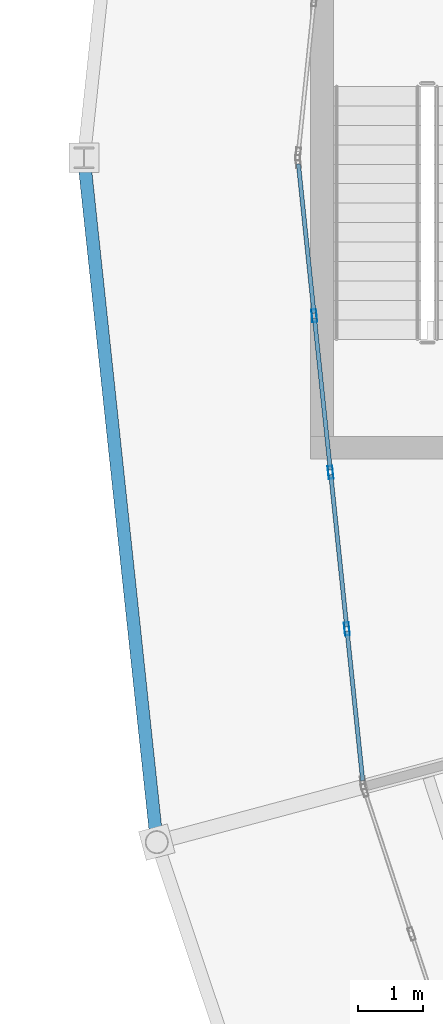
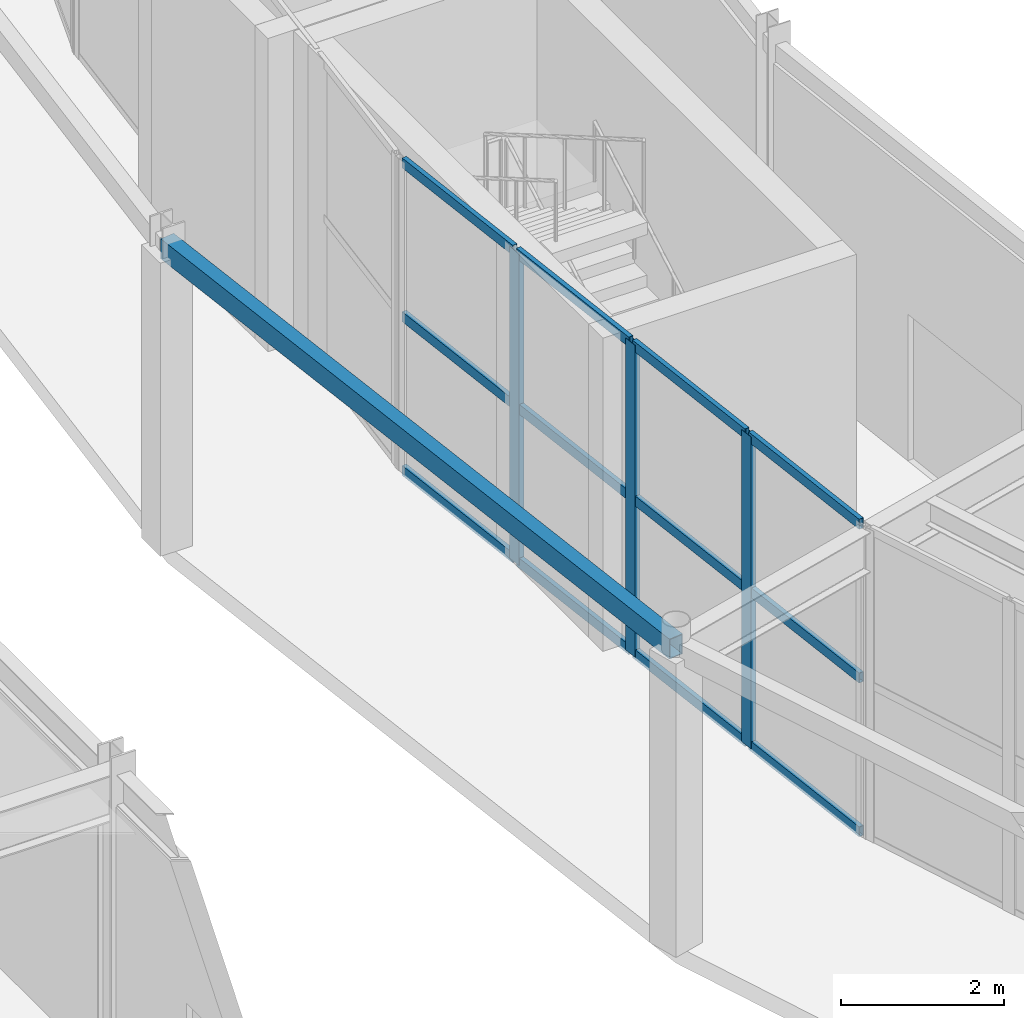
# One storey, part 43 of 144: 15 members, 1 beam, 1 element without a shape of its own.
"""IFC4 building model written with IfcOpenShell, lengths in metres."""

from ifc_helpers import new_model, si_unit, direction, frame, origin, origin_2d, place, context, subcontext, project, spatial, hollow_rectangle, extrude, material, material_profile, profile_set, type_object, element, aggregate, save


model = new_model("IFC4")

# Units and contexts
model_context = context("Model", 3, precision=1e-05, world=origin(), true_north=direction((0.0, 1.0)))
body_context = subcontext(model_context, "Body", "Model", "MODEL_VIEW")
ifc_project = project(units=[si_unit("LENGTHUNIT", "METRE"), si_unit("AREAUNIT", "SQUARE_METRE"), si_unit("VOLUMEUNIT", "CUBIC_METRE"), si_unit("PLANEANGLEUNIT", "RADIAN"), si_unit("MASSUNIT", "GRAM", prefix="KILO")], contexts=[model_context])

# Site, building, storey
site_placement = place(None, origin())
site = spatial("IfcSite", under=ifc_project, at=site_placement, CompositionType="ELEMENT")
building_placement = place(site_placement, origin())
building = spatial("IfcBuilding", under=site, at=building_placement, Name="Karori Crest Natural Sciences Institute", CompositionType="ELEMENT")
storey_placement = place(building_placement, origin())
storey = spatial("IfcBuildingStorey", under=building, at=storey_placement, Name="L00", CompositionType="ELEMENT", Elevation=0.0)

# Beam
ifc_material_1 = material(Name="Hollow structural steel AS/NZS 1163 Grade C350", Category="steel")
ifc_material_profile_1 = material_profile(ifc_material_1, hollow_rectangle(XDim=0.199951171875, YDim=0.300048828125, WallThickness=0.010009765625, at=origin_2d()), Name="RHS300x200x10")
ifc_profile_set_1 = profile_set([ifc_material_profile_1], Name="Hollow structural steel AS/NZS 1163 Grade C350")
beam_type = type_object("IfcBeamType", Name="BT-15", PredefinedType="SPANDREL", material=ifc_profile_set_1)
beam_placement = place(storey_placement, frame((33.39990234375, 49.89990234375, 4.489990234375), z_axis=(0.105891010563, -0.994377742049, 0.0), x_axis=(0.994377742049, 0.105891010563, 0.0)))
element("IfcBeam", 1, at=beam_placement, inside=storey, type_object=beam_type, Name="Beam B-0136", PredefinedType="SPANDREL", context=body_context, shape_type="SweptSolid", body=[
    extrude(hollow_rectangle(XDim=0.199951171875, YDim=0.300048828125, WallThickness=0.010009765625, at=origin_2d()), origin(), (0.0, 0.0, 1.0), 10.61962890625),
])

# Curtain wall, members
ifc_material_2 = material(Name="Anodised architectural aluminium 6063-T6", Category="aluminium")
curtain_wall_type = type_object("IfcCurtainWallType", Name="CWT-03", PredefinedType="NOTDEFINED", material=ifc_material_2)
curtain_wall_placement = place(storey_placement, origin())
curtain_wall = element("IfcCurtainWall", 2, at=curtain_wall_placement, inside=storey, type_object=curtain_wall_type, Name="Curtain wall CW-0016", PredefinedType="NOTDEFINED")
ifc_material_profile_2 = material_profile(ifc_material_2, hollow_rectangle(XDim=0.074951171875, YDim=0.199951171875, WallThickness=0.0048828125, at=origin_2d()), Name="CWM200x75x5")
ifc_profile_set_2 = profile_set([ifc_material_profile_2], Name="Anodised architectural aluminium 6063-T6")
member_type_1 = type_object("IfcMemberType", Name="CWM-02", PredefinedType="MULLION", material=ifc_profile_set_2)
member_1_placement = place(storey_placement, frame((37.4580078125, 42.630615234375, 0.0), z_axis=(0.0, 0.0, 1.0), x_axis=(-0.994608485589, -0.103701303727, 0.0)))
member_1 = element("IfcMember", 3, at=member_1_placement, type_object=member_type_1, Name="CW-0016 mullion 2", PredefinedType="MULLION", context=body_context, shape_type="SweptSolid", body=[
    extrude(hollow_rectangle(XDim=0.074951171875, YDim=0.199951171875, WallThickness=0.0048828125, at=origin_2d()), origin(), (0.0, 0.0, 1.0), 4.679931640625),
])
member_2_placement = place(storey_placement, frame((37.2060546875, 45.047119140625, 0.0), z_axis=(0.0, 0.0, 1.0), x_axis=(-0.994608485589, -0.103701303727, 0.0)))
member_2 = element("IfcMember", 4, at=member_2_placement, type_object=member_type_1, Name="CW-0016 mullion 3", PredefinedType="MULLION", context=body_context, shape_type="SweptSolid", body=[
    extrude(hollow_rectangle(XDim=0.074951171875, YDim=0.199951171875, WallThickness=0.0048828125, at=origin_2d()), origin(), (0.0, 0.0, 1.0), 4.679931640625),
])
member_3_placement = place(storey_placement, frame((36.9541015625, 47.463623046875, 0.0), z_axis=(0.0, 0.0, 1.0), x_axis=(-0.994608485589, -0.103701303727, 0.0)))
member_3 = element("IfcMember", 5, at=member_3_placement, type_object=member_type_1, Name="CW-0016 mullion 4", PredefinedType="MULLION", context=body_context, shape_type="SweptSolid", body=[
    extrude(hollow_rectangle(XDim=0.074951171875, YDim=0.199951171875, WallThickness=0.0048828125, at=origin_2d()), origin(), (0.0, 0.0, 1.0), 4.679931640625),
])
ifc_material_profile_3 = material_profile(ifc_material_2, hollow_rectangle(XDim=0.06494140625, YDim=0.14990234375, WallThickness=0.00390625, at=origin_2d()), Name="CWT150x65x4")
ifc_profile_set_3 = profile_set([ifc_material_profile_3], Name="Anodised architectural aluminium 6063-T6")
member_type_2 = type_object("IfcMemberType", Name="CWT-TR2", PredefinedType="USERDEFINED", material=ifc_profile_set_3)
member_4_placement = place(storey_placement, frame((37.7021484375, 40.288818359375, 0.032470703125), z_axis=(-0.103686436593, 0.994610035575, 0.0), x_axis=(-0.994610035575, -0.103686436593, 0.0)))
member_4 = element("IfcMember", 6, at=member_4_placement, type_object=member_type_2, Name="CW-0016 transom 1.1", ObjectType="TRANSOM", PredefinedType="USERDEFINED", context=body_context, shape_type="SweptSolid", body=[
    extrude(hollow_rectangle(XDim=0.06494140625, YDim=0.14990234375, WallThickness=0.00390625, at=origin_2d()), origin(), (0.0, 0.0, 1.0), 2.31689453125),
])
member_5_placement = place(storey_placement, frame((37.7021484375, 40.288818359375, 2.340087890625), z_axis=(-0.103686436593, 0.994610035575, 0.0), x_axis=(-0.994610035575, -0.103686436593, 0.0)))
member_5 = element("IfcMember", 7, at=member_5_placement, type_object=member_type_2, Name="CW-0016 transom 1.2", ObjectType="TRANSOM", PredefinedType="USERDEFINED", context=body_context, shape_type="SweptSolid", body=[
    extrude(hollow_rectangle(XDim=0.06494140625, YDim=0.14990234375, WallThickness=0.00390625, at=origin_2d()), origin(), (0.0, 0.0, 1.0), 2.31689453125),
])
member_6_placement = place(storey_placement, frame((37.7021484375, 40.288818359375, 4.6474609375), z_axis=(-0.103686436593, 0.994610035575, 0.0), x_axis=(-0.994610035575, -0.103686436593, 0.0)))
member_6 = element("IfcMember", 8, at=member_6_placement, type_object=member_type_2, Name="CW-0016 transom 1.3", ObjectType="TRANSOM", PredefinedType="USERDEFINED", context=body_context, shape_type="SweptSolid", body=[
    extrude(hollow_rectangle(XDim=0.06494140625, YDim=0.14990234375, WallThickness=0.00390625, at=origin_2d()), origin(), (0.0, 0.0, 1.0), 2.31689453125),
])
member_7_placement = place(storey_placement, frame((37.4541015625, 42.66796875, 0.032470703125), z_axis=(-0.103691565975, 0.994609500832, 0.0), x_axis=(-0.994609500832, -0.103691565975, 0.0)))
member_7 = element("IfcMember", 9, at=member_7_placement, type_object=member_type_2, Name="CW-0016 transom 2.1", ObjectType="TRANSOM", PredefinedType="USERDEFINED", context=body_context, shape_type="SweptSolid", body=[
    extrude(hollow_rectangle(XDim=0.06494140625, YDim=0.14990234375, WallThickness=0.00390625, at=origin_2d()), origin(), (0.0, 0.0, 1.0), 2.3544921875),
])
member_8_placement = place(storey_placement, frame((37.4541015625, 42.66796875, 2.340087890625), z_axis=(-0.103691565975, 0.994609500832, 0.0), x_axis=(-0.994609500832, -0.103691565975, 0.0)))
member_8 = element("IfcMember", 10, at=member_8_placement, type_object=member_type_2, Name="CW-0016 transom 2.2", ObjectType="TRANSOM", PredefinedType="USERDEFINED", context=body_context, shape_type="SweptSolid", body=[
    extrude(hollow_rectangle(XDim=0.06494140625, YDim=0.14990234375, WallThickness=0.00390625, at=origin_2d()), origin(), (0.0, 0.0, 1.0), 2.3544921875),
])
member_9_placement = place(storey_placement, frame((37.4541015625, 42.66796875, 4.6474609375), z_axis=(-0.103691565975, 0.994609500832, 0.0), x_axis=(-0.994609500832, -0.103691565975, 0.0)))
member_9 = element("IfcMember", 11, at=member_9_placement, type_object=member_type_2, Name="CW-0016 transom 2.3", ObjectType="TRANSOM", PredefinedType="USERDEFINED", context=body_context, shape_type="SweptSolid", body=[
    extrude(hollow_rectangle(XDim=0.06494140625, YDim=0.14990234375, WallThickness=0.00390625, at=origin_2d()), origin(), (0.0, 0.0, 1.0), 2.3544921875),
])
member_10_placement = place(storey_placement, frame((37.2021484375, 45.08447265625, 0.032470703125), z_axis=(-0.103691565975, 0.994609500832, 0.0), x_axis=(-0.994609500832, -0.103691565975, 0.0)))
member_10 = element("IfcMember", 12, at=member_10_placement, type_object=member_type_2, Name="CW-0016 transom 3.1", ObjectType="TRANSOM", PredefinedType="USERDEFINED", context=body_context, shape_type="SweptSolid", body=[
    extrude(hollow_rectangle(XDim=0.06494140625, YDim=0.14990234375, WallThickness=0.00390625, at=origin_2d()), origin(), (0.0, 0.0, 1.0), 2.3544921875),
])
member_11_placement = place(storey_placement, frame((37.2021484375, 45.08447265625, 2.340087890625), z_axis=(-0.103691565975, 0.994609500832, 0.0), x_axis=(-0.994609500832, -0.103691565975, 0.0)))
member_11 = element("IfcMember", 13, at=member_11_placement, type_object=member_type_2, Name="CW-0016 transom 3.2", ObjectType="TRANSOM", PredefinedType="USERDEFINED", context=body_context, shape_type="SweptSolid", body=[
    extrude(hollow_rectangle(XDim=0.06494140625, YDim=0.14990234375, WallThickness=0.00390625, at=origin_2d()), origin(), (0.0, 0.0, 1.0), 2.3544921875),
])
member_12_placement = place(storey_placement, frame((37.2021484375, 45.08447265625, 4.6474609375), z_axis=(-0.103691565975, 0.994609500832, 0.0), x_axis=(-0.994609500832, -0.103691565975, 0.0)))
member_12 = element("IfcMember", 14, at=member_12_placement, type_object=member_type_2, Name="CW-0016 transom 3.3", ObjectType="TRANSOM", PredefinedType="USERDEFINED", context=body_context, shape_type="SweptSolid", body=[
    extrude(hollow_rectangle(XDim=0.06494140625, YDim=0.14990234375, WallThickness=0.00390625, at=origin_2d()), origin(), (0.0, 0.0, 1.0), 2.3544921875),
])
member_13_placement = place(storey_placement, frame((36.9501953125, 47.5009765625, 0.032470703125), z_axis=(-0.103686436593, 0.994610035575, 0.0), x_axis=(-0.994610035575, -0.103686436593, 0.0)))
member_13 = element("IfcMember", 15, at=member_13_placement, type_object=member_type_2, Name="CW-0016 transom 4.1", ObjectType="TRANSOM", PredefinedType="USERDEFINED", context=body_context, shape_type="SweptSolid", body=[
    extrude(hollow_rectangle(XDim=0.06494140625, YDim=0.14990234375, WallThickness=0.00390625, at=origin_2d()), origin(), (0.0, 0.0, 1.0), 2.31689453125),
])
member_14_placement = place(storey_placement, frame((36.9501953125, 47.5009765625, 2.340087890625), z_axis=(-0.103686436593, 0.994610035575, 0.0), x_axis=(-0.994610035575, -0.103686436593, 0.0)))
member_14 = element("IfcMember", 16, at=member_14_placement, type_object=member_type_2, Name="CW-0016 transom 4.2", ObjectType="TRANSOM", PredefinedType="USERDEFINED", context=body_context, shape_type="SweptSolid", body=[
    extrude(hollow_rectangle(XDim=0.06494140625, YDim=0.14990234375, WallThickness=0.00390625, at=origin_2d()), origin(), (0.0, 0.0, 1.0), 2.31689453125),
])
member_15_placement = place(storey_placement, frame((36.9501953125, 47.5009765625, 4.6474609375), z_axis=(-0.103686436593, 0.994610035575, 0.0), x_axis=(-0.994610035575, -0.103686436593, 0.0)))
member_15 = element("IfcMember", 17, at=member_15_placement, type_object=member_type_2, Name="CW-0016 transom 4.3", ObjectType="TRANSOM", PredefinedType="USERDEFINED", context=body_context, shape_type="SweptSolid", body=[
    extrude(hollow_rectangle(XDim=0.06494140625, YDim=0.14990234375, WallThickness=0.00390625, at=origin_2d()), origin(), (0.0, 0.0, 1.0), 2.31689453125),
])
aggregate(curtain_wall, [member_1, member_2, member_3, member_4, member_5, member_6, member_7, member_8, member_9, member_10, member_11, member_12, member_13, member_14, member_15])

save(model, "model.ifc")
